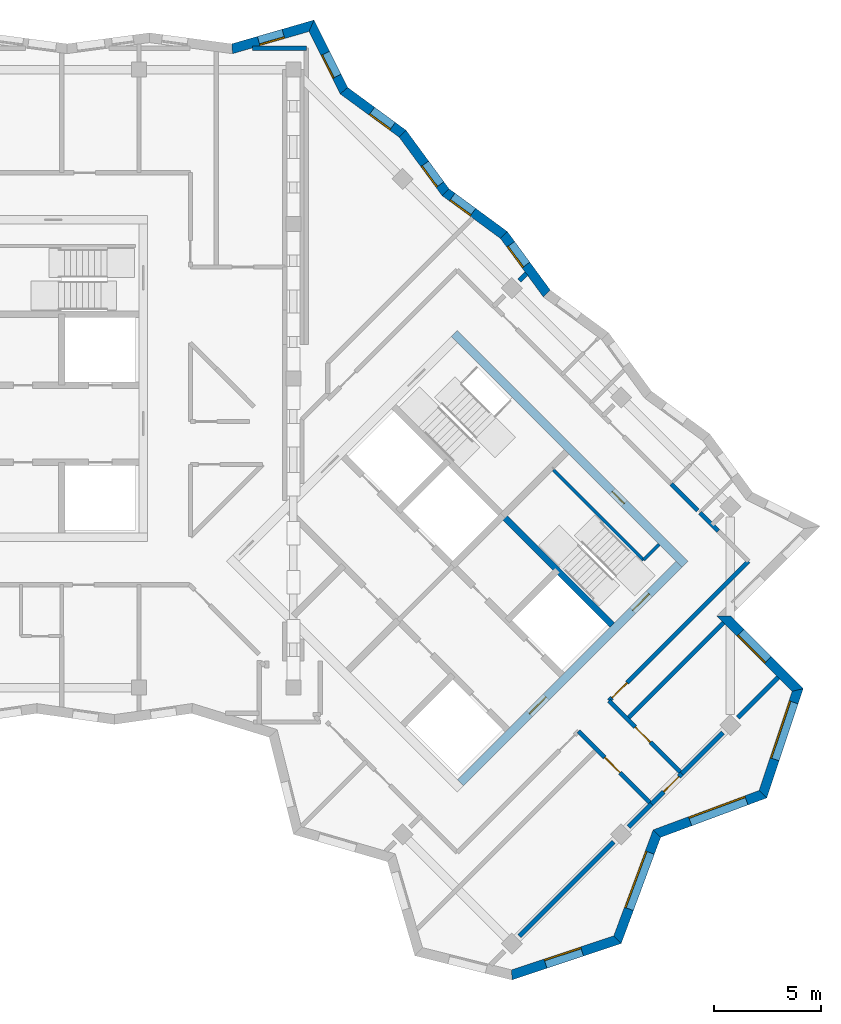
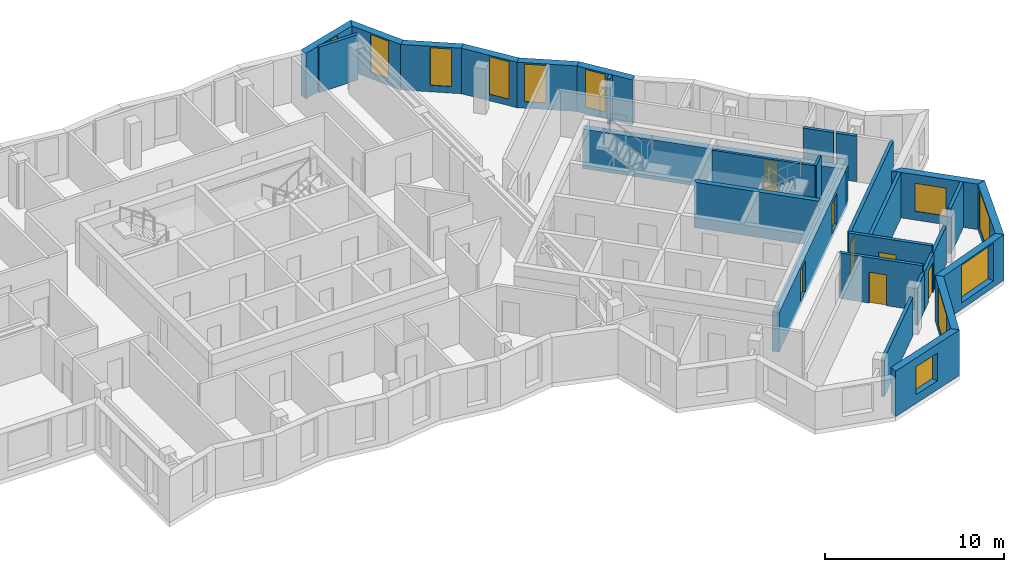
# One storey, part 8 of 12: 29 walls, 11 windows, 7 doors, 18 openings.
"""IFC4 building model written with IfcOpenShell, lengths in metres."""

from ifc_helpers import new_model, si_unit, direction, frame, frame_2d, origin, place, context, subcontext, project, spatial, polyline, rectangle, outline, extrude, material, layer, layer_set, type_object, element, fill, save


model = new_model("IFC4")

# Units and contexts
model_context = context("Model", 3, precision=1e-05, world=origin(), true_north=direction((0.0, 1.0)))
body_context = subcontext(model_context, "Body", "Model", "MODEL_VIEW")
ifc_project = project(units=[si_unit("LENGTHUNIT", "METRE"), si_unit("AREAUNIT", "SQUARE_METRE"), si_unit("VOLUMEUNIT", "CUBIC_METRE"), si_unit("PLANEANGLEUNIT", "RADIAN"), si_unit("MASSUNIT", "GRAM", prefix="KILO")], contexts=[model_context])

# Site, building, storey
site_placement = place(None, origin())
site = spatial("IfcSite", under=ifc_project, at=site_placement, CompositionType="ELEMENT")
building_placement = place(site_placement, origin())
building = spatial("IfcBuilding", under=site, at=building_placement, Name="Windrow Commons", CompositionType="ELEMENT")
storey_placement = place(building_placement, frame((0.0, 0.0, 267.6)))
storey = spatial("IfcBuildingStorey", under=building, at=storey_placement, Name="L73", CompositionType="ELEMENT", Elevation=267.6)

# Wall, opening, window
ifc_material_1 = material(Name="Brick masonry, red clay brick", Category="masonry")
ifc_layer_1 = layer(ifc_material_1, 0.45)
ifc_layer_set_1 = layer_set([ifc_layer_1], Name="Brick facade wall 450")
wall_type_1 = type_object("IfcWallType", Name="Brick facade wall 450", PredefinedType="SOLIDWALL", material=ifc_layer_set_1)
wall_1_placement = place(storey_placement, frame((89.3733, 29.8078, 0.0), z_axis=(0.0, 0.0, 1.0), x_axis=(0.9486871491, 0.3162162126, 0.0)))
wall_1 = element("IfcWall", 1, at=wall_1_placement, inside=storey, type_object=wall_type_1, Name="Brick facade wall L73 1", PredefinedType="SOLIDWALL", context=body_context, shape_type="SweptSolid", body=[
    extrude(outline(polyline([(-0.0655, -0.225), (5.301, -0.225), (5.0855, 0.225), (0.0655, 0.225), (-0.0655, -0.225)])), origin(), (0.0, 0.0, 1.0), 3.1),
])
opening_1_placement = place(wall_1_placement, frame((1.658, 0.0, 0.6)))
opening_1 = element("IfcOpeningElement", 2, at=opening_1_placement, cuts=wall_1, Name="Opening W1L", PredefinedType="OPENING", context=body_context, shape_type="SweptSolid", body=[
    extrude(rectangle(XDim=1.8, YDim=1.9, at=frame_2d((0.9, 0.95))), frame((0.0, 0.235, 0.0), z_axis=(0.0, -1.0, 0.0), x_axis=(1.0, 0.0, 0.0)), (0.0, 0.0, 1.0), 0.47),
])
ifc_material_2 = material(Name="Clear float glass in anodised aluminium frame", Category="aluminium")
window_type_1 = type_object("IfcWindowType", Name="Window W1L bedroom 1800x1900", PartitioningType="SINGLE_PANEL", PredefinedType="WINDOW", material=ifc_material_2)
window_1_placement = place(opening_1_placement, origin())
window_1 = element("IfcWindow", 3, at=window_1_placement, inside=storey, type_object=window_type_1, Name="Window L73 1.1", OverallHeight=1.9, OverallWidth=1.8, PartitioningType="SINGLE_PANEL", PredefinedType="WINDOW", context=body_context, shape_type="SweptSolid", body=[
    extrude(rectangle(XDim=1.8, YDim=1.9, at=frame_2d((0.9, 0.95))), frame((0.0, 0.205, 0.0), z_axis=(0.0, -1.0, 0.0), x_axis=(1.0, 0.0, 0.0)), (0.0, 0.0, 1.0), 0.06),
])
fill(opening_1, window_1)

wall_2_placement = place(storey_placement, frame((94.3001, 31.45, 0.0), z_axis=(0.0, 0.0, 1.0), x_axis=(0.3481927166, 0.9374229739, 0.0)))
wall_2 = element("IfcWall", 4, at=wall_2_placement, inside=storey, type_object=wall_type_1, Name="Brick facade wall L73 2", PredefinedType="SOLIDWALL", context=body_context, shape_type="SweptSolid", body=[
    extrude(outline(polyline([(-0.1078, -0.225), (5.1724, -0.225), (5.3786, 0.225), (0.1078, 0.225), (-0.1078, -0.225)])), origin(), (0.0, 0.0, 1.0), 3.1),
])
opening_2_placement = place(wall_2_placement, frame((1.5336, 0.0, 0.45)))
opening_2 = element("IfcOpeningElement", 5, at=opening_2_placement, cuts=wall_2, Name="Opening W1V", PredefinedType="OPENING", context=body_context, shape_type="SweptSolid", body=[
    extrude(rectangle(XDim=2.8, YDim=2.55, at=frame_2d((1.4, 1.275))), frame((0.0, 0.235, 0.0), z_axis=(0.0, -1.0, 0.0), x_axis=(1.0, 0.0, 0.0)), (0.0, 0.0, 1.0), 0.47),
])
ifc_material_3 = material(Name="Clear float glass in anodised aluminium frame", Category="aluminium")
window_type_2 = type_object("IfcWindowType", Name="Window W1V bedroom 2800x2550", PartitioningType="SINGLE_PANEL", PredefinedType="WINDOW", material=ifc_material_3)
window_2_placement = place(opening_2_placement, origin())
window_2 = element("IfcWindow", 6, at=window_2_placement, inside=storey, type_object=window_type_2, Name="Window L73 2.1", OverallHeight=2.55, OverallWidth=2.8, PartitioningType="SINGLE_PANEL", PredefinedType="WINDOW", context=body_context, shape_type="SweptSolid", body=[
    extrude(rectangle(XDim=2.8, YDim=2.55, at=frame_2d((1.4, 1.275))), frame((0.0, 0.205, 0.0), z_axis=(0.0, -1.0, 0.0), x_axis=(1.0, 0.0, 0.0)), (0.0, 0.0, 1.0), 0.06),
])
fill(opening_2, window_2)

wall_3_placement = place(storey_placement, frame((96.137, 36.3954, 0.0), z_axis=(0.0, 0.0, 1.0), x_axis=(0.937429161, 0.3481760591, 0.0)))
wall_3 = element("IfcWall", 7, at=wall_3_placement, inside=storey, type_object=wall_type_1, Name="Brick facade wall L73 3", PredefinedType="SOLIDWALL", context=body_context, shape_type="SweptSolid", body=[
    extrude(outline(polyline([(0.1031, -0.225), (5.3833, -0.225), (5.1677, 0.225), (-0.1031, 0.225), (0.1031, -0.225)])), origin(), (0.0, 0.0, 1.0), 3.1),
])
opening_3_placement = place(wall_3_placement, frame((1.6509, 0.0, 0.45)))
opening_3 = element("IfcOpeningElement", 8, at=opening_3_placement, cuts=wall_3, Name="Opening W1V", PredefinedType="OPENING", context=body_context, shape_type="SweptSolid", body=[
    extrude(rectangle(XDim=2.8, YDim=2.55, at=frame_2d((1.4, 1.275))), frame((0.0, 0.235, 0.0), z_axis=(0.0, -1.0, 0.0), x_axis=(1.0, 0.0, 0.0)), (0.0, 0.0, 1.0), 0.47),
])
window_3_placement = place(opening_3_placement, origin())
window_3 = element("IfcWindow", 9, at=window_3_placement, inside=storey, type_object=window_type_2, Name="Window L73 3.1", OverallHeight=2.55, OverallWidth=2.8, PartitioningType="SINGLE_PANEL", PredefinedType="WINDOW", context=body_context, shape_type="SweptSolid", body=[
    extrude(rectangle(XDim=2.8, YDim=2.55, at=frame_2d((1.4, 1.275))), frame((0.0, 0.205, 0.0), z_axis=(0.0, -1.0, 0.0), x_axis=(1.0, 0.0, 0.0)), (0.0, 0.0, 1.0), 0.06),
])
fill(opening_3, window_3)

wall_4_placement = place(storey_placement, frame((101.0824, 38.2322, 0.0), z_axis=(0.0, 0.0, 1.0), x_axis=(0.316227766, 0.9486832981, 0.0)))
wall_4 = element("IfcWall", 10, at=wall_4_placement, inside=storey, type_object=wall_type_1, Name="Brick facade wall L73 4", PredefinedType="SOLIDWALL", context=body_context, shape_type="SweptSolid", body=[
    extrude(outline(polyline([(-0.1078, -0.225), (5.2588, -0.225), (4.9807, 0.225), (0.1078, 0.225), (-0.1078, -0.225)])), origin(), (0.0, 0.0, 1.0), 3.1),
])
opening_4_placement = place(wall_4_placement, frame((1.7112, 0.0, 0.45)))
opening_4 = element("IfcOpeningElement", 11, at=opening_4_placement, cuts=wall_4, Name="Opening W1V", PredefinedType="OPENING", context=body_context, shape_type="SweptSolid", body=[
    extrude(rectangle(XDim=2.8, YDim=2.55, at=frame_2d((1.4, 1.275))), frame((0.0, 0.235, 0.0), z_axis=(0.0, -1.0, 0.0), x_axis=(1.0, 0.0, 0.0)), (0.0, 0.0, 1.0), 0.47),
])
window_4_placement = place(opening_4_placement, origin())
window_4 = element("IfcWindow", 12, at=window_4_placement, inside=storey, type_object=window_type_2, Name="Window L73 4.1", OverallHeight=2.55, OverallWidth=2.8, PartitioningType="SINGLE_PANEL", PredefinedType="WINDOW", context=body_context, shape_type="SweptSolid", body=[
    extrude(rectangle(XDim=2.8, YDim=2.55, at=frame_2d((1.4, 1.275))), frame((0.0, 0.205, 0.0), z_axis=(0.0, -1.0, 0.0), x_axis=(1.0, 0.0, 0.0)), (0.0, 0.0, 1.0), 0.06),
])
fill(opening_4, window_4)

wall_5_placement = place(storey_placement, frame((102.7014, 43.0892, 0.0), z_axis=(0.0, 0.0, 1.0), x_axis=(-0.7070965479, 0.7071170144, 0.0)))
wall_5 = element("IfcWall", 13, at=wall_5_placement, inside=storey, type_object=wall_type_1, Name="Brick facade wall L73 5", PredefinedType="SOLIDWALL", context=body_context, shape_type="SweptSolid", body=[
    extrude(outline(polyline([(-0.1391, -0.225), (4.661, -0.225), (5.111, 0.225), (0.1391, 0.225), (-0.1391, -0.225)])), origin(), (0.0, 0.0, 1.0), 3.1),
])
opening_5_placement = place(wall_5_placement, frame((1.9735, 0.0, 0.6)))
opening_5 = element("IfcOpeningElement", 14, at=opening_5_placement, cuts=wall_5, Name="Opening W1L", PredefinedType="OPENING", context=body_context, shape_type="SweptSolid", body=[
    extrude(rectangle(XDim=1.8, YDim=1.9, at=frame_2d((0.9, 0.95))), frame((0.0, 0.235, 0.0), z_axis=(0.0, -1.0, 0.0), x_axis=(1.0, 0.0, 0.0)), (0.0, 0.0, 1.0), 0.47),
])
window_5_placement = place(opening_5_placement, origin())
window_5 = element("IfcWindow", 15, at=window_5_placement, inside=storey, type_object=window_type_1, Name="Window L73 5.1", OverallHeight=1.9, OverallWidth=1.8, PartitioningType="SINGLE_PANEL", PredefinedType="WINDOW", context=body_context, shape_type="SweptSolid", body=[
    extrude(rectangle(XDim=1.8, YDim=1.9, at=frame_2d((0.9, 0.95))), frame((0.0, 0.205, 0.0), z_axis=(0.0, -1.0, 0.0), x_axis=(1.0, 0.0, 0.0)), (0.0, 0.0, 1.0), 0.06),
])
fill(opening_5, window_5)

wall_6_placement = place(storey_placement, frame((91.0041, 61.571, 0.0), z_axis=(0.0, 0.0, 1.0), x_axis=(-0.5916423825, 0.806200528, 0.0)))
wall_6 = element("IfcWall", 16, at=wall_6_placement, inside=storey, type_object=wall_type_1, Name="Brick facade wall L73 12", PredefinedType="SOLIDWALL", context=body_context, shape_type="SweptSolid", body=[
    extrude(outline(polyline([(0.0345, -0.225), (3.4094, -0.225), (3.3403, 0.225), (-0.0345, 0.225), (0.0345, -0.225)])), origin(), (0.0, 0.0, 1.0), 3.1),
])
opening_6_placement = place(wall_6_placement, frame((1.6385, 0.0, 0.45)))
opening_6 = element("IfcOpeningElement", 17, at=opening_6_placement, cuts=wall_6, Name="Opening W7F", PredefinedType="OPENING", context=body_context, shape_type="SweptSolid", body=[
    extrude(rectangle(XDim=1.2, YDim=2.55, at=frame_2d((0.6, 1.275))), frame((0.0, 0.235, 0.0), z_axis=(0.0, -1.0, 0.0), x_axis=(1.0, 0.0, 0.0)), (0.0, 0.0, 1.0), 0.47),
])
ifc_material_4 = material(Name="Clear float glass in anodised aluminium frame", Category="aluminium")
window_type_3 = type_object("IfcWindowType", Name="Window W7 notch 1200x2550", PartitioningType="SINGLE_PANEL", PredefinedType="WINDOW", material=ifc_material_4)
window_6_placement = place(opening_6_placement, origin())
window_6 = element("IfcWindow", 18, at=window_6_placement, inside=storey, type_object=window_type_3, Name="Window L73 12.1", OverallHeight=2.55, OverallWidth=1.2, PartitioningType="SINGLE_PANEL", PredefinedType="WINDOW", context=body_context, shape_type="SweptSolid", body=[
    extrude(rectangle(XDim=1.2, YDim=2.55, at=frame_2d((0.6, 1.275))), frame((0.0, 0.205, 0.0), z_axis=(0.0, -1.0, 0.0), x_axis=(1.0, 0.0, 0.0)), (0.0, 0.0, 1.0), 0.06),
])
fill(opening_6, window_6)

wall_7_placement = place(storey_placement, frame((89.0074, 64.2918, 0.0), z_axis=(0.0, 0.0, 1.0), x_axis=(-0.8061901555, 0.5916565162, 0.0)))
wall_7 = element("IfcWall", 19, at=wall_7_placement, inside=storey, type_object=wall_type_1, Name="Brick facade wall L73 13", PredefinedType="SOLIDWALL", context=body_context, shape_type="SweptSolid", body=[
    extrude(outline(polyline([(-0.0345, -0.225), (3.3403, -0.225), (3.4094, 0.225), (0.0345, 0.225), (-0.0345, -0.225)])), origin(), (0.0, 0.0, 1.0), 3.1),
])
opening_7_placement = place(wall_7_placement, frame((1.7894, 0.0, 0.45)))
opening_7 = element("IfcOpeningElement", 20, at=opening_7_placement, cuts=wall_7, Name="Opening W7F", PredefinedType="OPENING", context=body_context, shape_type="SweptSolid", body=[
    extrude(rectangle(XDim=1.2, YDim=2.55, at=frame_2d((0.6, 1.275))), frame((0.0, 0.235, 0.0), z_axis=(0.0, -1.0, 0.0), x_axis=(1.0, 0.0, 0.0)), (0.0, 0.0, 1.0), 0.47),
])
window_7_placement = place(opening_7_placement, origin())
window_7 = element("IfcWindow", 21, at=window_7_placement, inside=storey, type_object=window_type_3, Name="Window L73 13.1", OverallHeight=2.55, OverallWidth=1.2, PartitioningType="SINGLE_PANEL", PredefinedType="WINDOW", context=body_context, shape_type="SweptSolid", body=[
    extrude(rectangle(XDim=1.2, YDim=2.55, at=frame_2d((0.6, 1.275))), frame((0.0, 0.205, 0.0), z_axis=(0.0, -1.0, 0.0), x_axis=(1.0, 0.0, 0.0)), (0.0, 0.0, 1.0), 0.06),
])
fill(opening_7, window_7)

wall_8_placement = place(storey_placement, frame((86.2867, 66.2885, 0.0), z_axis=(0.0, 0.0, 1.0), x_axis=(-0.5916423825, 0.806200528, 0.0)))
wall_8 = element("IfcWall", 22, at=wall_8_placement, inside=storey, type_object=wall_type_1, Name="Brick facade wall L73 14", PredefinedType="SOLIDWALL", context=body_context, shape_type="SweptSolid", body=[
    extrude(outline(polyline([(0.0345, -0.225), (3.4094, -0.225), (3.3403, 0.225), (-0.0345, 0.225), (0.0345, -0.225)])), origin(), (0.0, 0.0, 1.0), 3.1),
])
opening_8_placement = place(wall_8_placement, frame((0.4357, 0.0, 0.45)))
opening_8 = element("IfcOpeningElement", 23, at=opening_8_placement, cuts=wall_8, Name="Opening W7F", PredefinedType="OPENING", context=body_context, shape_type="SweptSolid", body=[
    extrude(rectangle(XDim=1.2, YDim=2.55, at=frame_2d((0.6, 1.275))), frame((0.0, 0.235, 0.0), z_axis=(0.0, -1.0, 0.0), x_axis=(1.0, 0.0, 0.0)), (0.0, 0.0, 1.0), 0.47),
])
window_8_placement = place(opening_8_placement, origin())
window_8 = element("IfcWindow", 24, at=window_8_placement, inside=storey, type_object=window_type_3, Name="Window L73 14.1", OverallHeight=2.55, OverallWidth=1.2, PartitioningType="SINGLE_PANEL", PredefinedType="WINDOW", context=body_context, shape_type="SweptSolid", body=[
    extrude(rectangle(XDim=1.2, YDim=2.55, at=frame_2d((0.6, 1.275))), frame((0.0, 0.205, 0.0), z_axis=(0.0, -1.0, 0.0), x_axis=(1.0, 0.0, 0.0)), (0.0, 0.0, 1.0), 0.06),
])
fill(opening_8, window_8)

wall_9_placement = place(storey_placement, frame((84.29, 69.0093, 0.0), z_axis=(0.0, 0.0, 1.0), x_axis=(-0.8062064069, 0.5916343714, 0.0)))
wall_9 = element("IfcWall", 25, at=wall_9_placement, inside=storey, type_object=wall_type_1, Name="Brick facade wall L73 15", PredefinedType="SOLIDWALL", context=body_context, shape_type="SweptSolid", body=[
    extrude(outline(polyline([(-0.0345, -0.225), (3.3403, -0.225), (3.449, 0.225), (0.0345, 0.225), (-0.0345, -0.225)])), origin(), (0.0, 0.0, 1.0), 3.1),
])
opening_9_placement = place(wall_9_placement, frame((0.5866, 0.0, 0.45)))
opening_9 = element("IfcOpeningElement", 26, at=opening_9_placement, cuts=wall_9, Name="Opening W7F", PredefinedType="OPENING", context=body_context, shape_type="SweptSolid", body=[
    extrude(rectangle(XDim=1.2, YDim=2.55, at=frame_2d((0.6, 1.275))), frame((0.0, 0.235, 0.0), z_axis=(0.0, -1.0, 0.0), x_axis=(1.0, 0.0, 0.0)), (0.0, 0.0, 1.0), 0.47),
])
window_9_placement = place(opening_9_placement, origin())
window_9 = element("IfcWindow", 27, at=window_9_placement, inside=storey, type_object=window_type_3, Name="Window L73 15.1", OverallHeight=2.55, OverallWidth=1.2, PartitioningType="SINGLE_PANEL", PredefinedType="WINDOW", context=body_context, shape_type="SweptSolid", body=[
    extrude(rectangle(XDim=1.2, YDim=2.55, at=frame_2d((0.6, 1.275))), frame((0.0, 0.205, 0.0), z_axis=(0.0, -1.0, 0.0), x_axis=(1.0, 0.0, 0.0)), (0.0, 0.0, 1.0), 0.06),
])
fill(opening_9, window_9)

wall_10_placement = place(storey_placement, frame((81.5532, 71.0177, 0.0), z_axis=(0.0, 0.0, 1.0), x_axis=(-0.4471899486, 0.8944390141, 0.0)))
wall_10 = element("IfcWall", 28, at=wall_10_placement, inside=storey, type_object=wall_type_1, Name="Brick facade wall L73 16", PredefinedType="SOLIDWALL", context=body_context, shape_type="SweptSolid", body=[
    extrude(outline(polyline([(0.0544, -0.225), (3.5706, -0.225), (3.1956, 0.225), (-0.0544, 0.225), (0.0544, -0.225)])), origin(), (0.0, 0.0, 1.0), 3.1),
])
opening_10_placement = place(wall_10_placement, frame((0.7431, 0.0, 0.45)))
opening_10 = element("IfcOpeningElement", 29, at=opening_10_placement, cuts=wall_10, Name="Opening W7F", PredefinedType="OPENING", context=body_context, shape_type="SweptSolid", body=[
    extrude(rectangle(XDim=1.2, YDim=2.55, at=frame_2d((0.6, 1.275))), frame((0.0, 0.235, 0.0), z_axis=(0.0, -1.0, 0.0), x_axis=(1.0, 0.0, 0.0)), (0.0, 0.0, 1.0), 0.47),
])
window_10_placement = place(opening_10_placement, origin())
window_10 = element("IfcWindow", 30, at=window_10_placement, inside=storey, type_object=window_type_3, Name="Window L73 16.1", OverallHeight=2.55, OverallWidth=1.2, PartitioningType="SINGLE_PANEL", PredefinedType="WINDOW", context=body_context, shape_type="SweptSolid", body=[
    extrude(rectangle(XDim=1.2, YDim=2.55, at=frame_2d((0.6, 1.275))), frame((0.0, 0.205, 0.0), z_axis=(0.0, -1.0, 0.0), x_axis=(1.0, 0.0, 0.0)), (0.0, 0.0, 1.0), 0.06),
])
fill(opening_10, window_10)

wall_11_placement = place(storey_placement, frame((80.0403, 74.0437, 0.0), z_axis=(0.0, 0.0, 1.0), x_axis=(-0.9604089945, -0.278593904, 0.0)))
wall_11 = element("IfcWall", 31, at=wall_11_placement, inside=storey, type_object=wall_type_1, Name="Brick facade wall L73 17", PredefinedType="SOLIDWALL", context=body_context, shape_type="SweptSolid", body=[
    extrude(outline(polyline([(-0.1875, -0.225), (3.8041, -0.225), (3.8988, 0.225), (0.1875, 0.225), (-0.1875, -0.225)])), origin(), (0.0, 0.0, 1.0), 3.1),
])
opening_11_placement = place(wall_11_placement, frame((1.3632, 0.0, 0.45)))
opening_11 = element("IfcOpeningElement", 32, at=opening_11_placement, cuts=wall_11, Name="Opening W7F", PredefinedType="OPENING", context=body_context, shape_type="SweptSolid", body=[
    extrude(rectangle(XDim=1.2, YDim=2.55, at=frame_2d((0.6, 1.275))), frame((0.0, 0.235, 0.0), z_axis=(0.0, -1.0, 0.0), x_axis=(1.0, 0.0, 0.0)), (0.0, 0.0, 1.0), 0.47),
])
window_11_placement = place(opening_11_placement, origin())
window_11 = element("IfcWindow", 33, at=window_11_placement, inside=storey, type_object=window_type_3, Name="Window L73 17.1", OverallHeight=2.55, OverallWidth=1.2, PartitioningType="SINGLE_PANEL", PredefinedType="WINDOW", context=body_context, shape_type="SweptSolid", body=[
    extrude(rectangle(XDim=1.2, YDim=2.55, at=frame_2d((0.6, 1.275))), frame((0.0, 0.205, 0.0), z_axis=(0.0, -1.0, 0.0), x_axis=(1.0, 0.0, 0.0)), (0.0, 0.0, 1.0), 0.06),
])
fill(opening_11, window_11)

# Wall, opening, door
ifc_material_5 = material(Name="Blockwork partition", Category="masonry")
ifc_layer_2 = layer(ifc_material_5, 0.2)
ifc_layer_set_2 = layer_set([ifc_layer_2], Name="IW-CORRIDOR-200")
wall_type_2 = type_object("IfcWallType", Name="IW-CORRIDOR-200", PredefinedType="PARTITIONING", material=ifc_layer_set_2)
wall_12_placement = place(storey_placement, frame((93.9069, 42.5851, 0.0), z_axis=(0.0, 0.0, 1.0), x_axis=(0.7071067812, 0.7071067812, 0.0)))
wall_12 = element("IfcWall", 34, at=wall_12_placement, inside=storey, type_object=wall_type_2, Name="W-L73-W017", PredefinedType="PARTITIONING", context=body_context, shape_type="SweptSolid", body=[
    extrude(rectangle(XDim=9.2009, YDim=0.2, at=frame_2d((4.6005, 0.0))), origin(), (0.0, 0.0, 1.0), 3.1),
])
opening_12_placement = place(wall_12_placement, frame((0.1931, 0.0, 0.0)))
opening_12 = element("IfcOpeningElement", 35, at=opening_12_placement, cuts=wall_12, Name="Opening D310F", PredefinedType="OPENING", context=body_context, shape_type="SweptSolid", body=[
    extrude(rectangle(XDim=1.0, YDim=2.1, at=frame_2d((0.5, 1.05))), frame((0.0, 0.11, 0.0), z_axis=(0.0, -1.0, 0.0), x_axis=(1.0, 0.0, 0.0)), (0.0, 0.0, 1.0), 0.22),
])
ifc_material_6 = material(Name="Timber door leaf", Category="wood")
door_type_1 = type_object("IfcDoorType", Name="DT-AMENITY-1000", OperationType="SINGLE_SWING_LEFT", PredefinedType="DOOR", material=ifc_material_6)
door_1_placement = place(opening_12_placement, origin())
door_1 = element("IfcDoor", 36, at=door_1_placement, inside=storey, type_object=door_type_1, Name="D-L73-D034", OperationType="SINGLE_SWING_LEFT", OverallHeight=2.1, OverallWidth=1.0, PredefinedType="DOOR", context=body_context, shape_type="SweptSolid", body=[
    extrude(rectangle(XDim=1.0, YDim=2.1, at=frame_2d((0.5, 1.05))), frame((0.0, 0.025, 0.0), z_axis=(0.0, -1.0, 0.0), x_axis=(1.0, 0.0, 0.0)), (0.0, 0.0, 1.0), 0.05),
])
fill(opening_12, door_1)

wall_13_placement = place(storey_placement, frame((93.9049, 42.5809, 0.0), z_axis=(0.0, 0.0, 1.0), x_axis=(0.7071067812, -0.7071067812, 0.0)))
wall_13 = element("IfcWall", 37, at=wall_13_placement, inside=storey, type_object=wall_type_2, Name="W-L73-W035", PredefinedType="PARTITIONING", context=body_context, shape_type="SweptSolid", body=[
    extrude(rectangle(XDim=4.7998, YDim=0.2, at=frame_2d((2.3999, 0.0))), origin(), (0.0, 0.0, 1.0), 3.1),
])
opening_13_placement = place(wall_13_placement, frame((1.7246, 0.0, 0.0)))
opening_13 = element("IfcOpeningElement", 38, at=opening_13_placement, cuts=wall_13, Name="Opening D310F", PredefinedType="OPENING", context=body_context, shape_type="SweptSolid", body=[
    extrude(rectangle(XDim=1.0, YDim=2.1, at=frame_2d((0.5, 1.05))), frame((0.0, 0.11, 0.0), z_axis=(0.0, -1.0, 0.0), x_axis=(1.0, 0.0, 0.0)), (0.0, 0.0, 1.0), 0.22),
])
door_2_placement = place(opening_13_placement, origin())
door_2 = element("IfcDoor", 39, at=door_2_placement, inside=storey, type_object=door_type_1, Name="D-L73-D037", OperationType="SINGLE_SWING_RIGHT", OverallHeight=2.1, OverallWidth=1.0, PredefinedType="DOOR", context=body_context, shape_type="SweptSolid", body=[
    extrude(rectangle(XDim=1.0, YDim=2.1, at=frame_2d((0.5, 1.05))), frame((0.0, 0.025, 0.0), z_axis=(0.0, -1.0, 0.0), x_axis=(1.0, 0.0, 0.0)), (0.0, 0.0, 1.0), 0.05),
])
fill(opening_13, door_2)

wall_14_placement = place(storey_placement, frame((92.4907, 41.1667, 0.0), z_axis=(0.0, 0.0, 1.0), x_axis=(0.7071067812, -0.7071067812, 0.0)))
wall_14 = element("IfcWall", 40, at=wall_14_placement, inside=storey, type_object=wall_type_2, Name="W-L73-W036", PredefinedType="PARTITIONING", context=body_context, shape_type="SweptSolid", body=[
    extrude(rectangle(XDim=4.7998, YDim=0.2, at=frame_2d((2.3999, 0.0))), origin(), (0.0, 0.0, 1.0), 3.1),
])
opening_14_placement = place(wall_14_placement, frame((1.7246, 0.0, 0.0)))
opening_14 = element("IfcOpeningElement", 41, at=opening_14_placement, cuts=wall_14, Name="Opening D310F", PredefinedType="OPENING", context=body_context, shape_type="SweptSolid", body=[
    extrude(rectangle(XDim=1.0, YDim=2.1, at=frame_2d((0.5, 1.05))), frame((0.0, 0.11, 0.0), z_axis=(0.0, -1.0, 0.0), x_axis=(1.0, 0.0, 0.0)), (0.0, 0.0, 1.0), 0.22),
])
door_3_placement = place(opening_14_placement, origin())
door_3 = element("IfcDoor", 42, at=door_3_placement, inside=storey, type_object=door_type_1, Name="D-L73-D036", OperationType="SINGLE_SWING_LEFT", OverallHeight=2.1, OverallWidth=1.0, PredefinedType="DOOR", context=body_context, shape_type="SweptSolid", body=[
    extrude(rectangle(XDim=1.0, YDim=2.1, at=frame_2d((0.5, 1.05))), frame((0.0, 0.025, 0.0), z_axis=(0.0, -1.0, 0.0), x_axis=(1.0, 0.0, 0.0)), (0.0, 0.0, 1.0), 0.05),
])
fill(opening_14, door_3)

wall_15_placement = place(storey_placement, frame((95.887, 37.777, 0.0), z_axis=(0.0, 0.0, 1.0), x_axis=(0.7071067812, 0.7071067812, 0.0)))
wall_15 = element("IfcWall", 43, at=wall_15_placement, inside=storey, type_object=wall_type_2, Name="W-L73-W091", PredefinedType="PARTITIONING", context=body_context, shape_type="SweptSolid", body=[
    extrude(rectangle(XDim=1.9997, YDim=0.2, at=frame_2d((0.9999, 0.0))), origin(), (0.0, 0.0, 1.0), 2.6),
])
opening_15_placement = place(wall_15_placement, frame((0.8027, 0.0, 0.0)))
opening_15 = element("IfcOpeningElement", 44, at=opening_15_placement, cuts=wall_15, Name="Opening D310F", PredefinedType="OPENING", context=body_context, shape_type="SweptSolid", body=[
    extrude(rectangle(XDim=1.0, YDim=2.1, at=frame_2d((0.5, 1.05))), frame((0.0, 0.11, 0.0), z_axis=(0.0, -1.0, 0.0), x_axis=(1.0, 0.0, 0.0)), (0.0, 0.0, 1.0), 0.22),
])
door_4_placement = place(opening_15_placement, origin())
door_4 = element("IfcDoor", 45, at=door_4_placement, inside=storey, type_object=door_type_1, Name="D-L73-D038", OperationType="SINGLE_SWING_RIGHT", OverallHeight=2.1, OverallWidth=1.0, PredefinedType="DOOR", context=body_context, shape_type="SweptSolid", body=[
    extrude(rectangle(XDim=1.0, YDim=2.1, at=frame_2d((0.5, 1.05))), frame((0.0, 0.025, 0.0), z_axis=(0.0, -1.0, 0.0), x_axis=(1.0, 0.0, 0.0)), (0.0, 0.0, 1.0), 0.05),
])
fill(opening_15, door_4)

# Walls
wall_16_placement = place(storey_placement, frame((96.8046, 52.6946, 0.0), z_axis=(0.0, 0.0, 1.0), x_axis=(0.7073923078, -0.7068211392, 0.0)))
element("IfcWall", 46, at=wall_16_placement, inside=storey, type_object=wall_type_2, Name="W-L73-W096", PredefinedType="PARTITIONING", context=body_context, shape_type="SweptSolid", body=[
    extrude(rectangle(XDim=1.7508, YDim=0.2, at=frame_2d((0.8754, 0.0))), origin(), (0.0, 0.0, 1.0), 3.1),
])
wall_17_placement = place(storey_placement, frame((98.1473, 51.3493, 0.0), z_axis=(0.0, 0.0, 1.0), x_axis=(0.7071067812, -0.7071067812, 0.0)))
element("IfcWall", 47, at=wall_17_placement, inside=storey, type_object=wall_type_2, Name="W-L73-W111", PredefinedType="PARTITIONING", context=body_context, shape_type="SweptSolid", body=[
    extrude(rectangle(XDim=1.1993, YDim=0.2, at=frame_2d((0.5997, 0.0))), origin(), (0.0, 0.0, 1.0), 3.1),
])
ifc_material_7 = material(Name="Blockwork partition", Category="masonry")
ifc_layer_3 = layer(ifc_material_7, 0.2)
ifc_layer_set_3 = layer_set([ifc_layer_3], Name="IW-PARTY-200")
wall_type_3 = type_object("IfcWallType", Name="IW-PARTY-200", PredefinedType="PARTITIONING", material=ifc_layer_set_3)
wall_18_placement = place(storey_placement, frame((94.7554, 41.7366, 0.0), z_axis=(0.0, 0.0, 1.0), x_axis=(0.7071146549, 0.7070989073, 0.0)))
element("IfcWall", 48, at=wall_18_placement, inside=storey, type_object=wall_type_3, Name="W-L73-W026", PredefinedType="PARTITIONING", context=body_context, shape_type="SweptSolid", body=[
    extrude(rectangle(XDim=6.3502, YDim=0.2, at=frame_2d((3.1751, 0.0))), origin(), (0.0, 0.0, 1.0), 3.1),
])
wall_19_placement = place(storey_placement, frame((89.731, 31.621, 0.0), z_axis=(0.0, 0.0, 1.0), x_axis=(0.7071067812, 0.7071067812, 0.0)))
element("IfcWall", 49, at=wall_19_placement, inside=storey, type_object=wall_type_3, Name="W-L73-W027", PredefinedType="PARTITIONING", context=body_context, shape_type="SweptSolid", body=[
    extrude(rectangle(XDim=6.2112, YDim=0.2, at=frame_2d((3.1056, 0.0))), origin(), (0.0, 0.0, 1.0), 2.6),
])
wall_20_placement = place(storey_placement, frame((97.301, 39.191, 0.0), z_axis=(0.0, 0.0, 1.0), x_axis=(0.7071067812, 0.7071067812, 0.0)))
element("IfcWall", 50, at=wall_20_placement, inside=storey, type_object=wall_type_3, Name="W-L73-W071", PredefinedType="PARTITIONING", context=body_context, shape_type="SweptSolid", body=[
    extrude(rectangle(XDim=2.7068, YDim=0.2, at=frame_2d((1.3534, 0.0))), origin(), (0.0, 0.0, 1.0), 2.6),
])
wall_21_placement = place(storey_placement, frame((99.913, 41.803, 0.0), z_axis=(0.0, 0.0, 1.0), x_axis=(0.7071067812, 0.7071067812, 0.0)))
element("IfcWall", 51, at=wall_21_placement, inside=storey, type_object=wall_type_3, Name="W-L73-W072", PredefinedType="PARTITIONING", context=body_context, shape_type="SweptSolid", body=[
    extrude(rectangle(XDim=2.6562, YDim=0.2, at=frame_2d((1.3281, 0.0))), origin(), (0.0, 0.0, 1.0), 3.1),
])
wall_22_placement = place(storey_placement, frame((77.3, 73.0, 0.0), z_axis=(0.0, 0.0, 1.0), x_axis=(1.0, 0.0, 0.0)))
element("IfcWall", 52, at=wall_22_placement, inside=storey, type_object=wall_type_3, Name="W-L73-W075", PredefinedType="PARTITIONING", context=body_context, shape_type="SweptSolid", body=[
    extrude(rectangle(XDim=2.5, YDim=0.2, at=frame_2d((1.25, 0.0))), origin(), (0.0, 0.0, 1.0), 3.1),
])
wall_23_placement = place(storey_placement, frame((94.823, 36.713, 0.0), z_axis=(0.0, 0.0, 1.0), x_axis=(0.7071067812, 0.7071067812, 0.0)))
element("IfcWall", 53, at=wall_23_placement, inside=storey, type_object=wall_type_3, Name="W-L73-W109", PredefinedType="PARTITIONING", context=body_context, shape_type="SweptSolid", body=[
    extrude(rectangle(XDim=1.5047, YDim=0.2, at=frame_2d((0.7523, 0.0))), origin(), (0.0, 0.0, 1.0), 2.6),
])
wall_24_placement = place(storey_placement, frame((89.7315, 62.1685, 0.0), z_axis=(0.0, 0.0, 1.0), x_axis=(0.7072172062, 0.7069963389, 0.0)))
element("IfcWall", 54, at=wall_24_placement, inside=storey, type_object=wall_type_3, Name="W-L73-W138", PredefinedType="PARTITIONING", context=body_context, shape_type="SweptSolid", body=[
    extrude(rectangle(XDim=0.4528, YDim=0.2, at=frame_2d((0.2264, 0.0))), origin(), (0.0, 0.0, 1.0), 3.1),
])

# Wall, opening, door
ifc_material_8 = material(Name="Concrete C40/50", Category="concrete")
ifc_layer_4 = layer(ifc_material_8, 0.4)
ifc_layer_set_4 = layer_set([ifc_layer_4], Name="RC CORE WALL 400 C40/50")
wall_type_4 = type_object("IfcWallType", Name="RC CORE WALL 400 C40/50", PredefinedType="SHEAR", material=ifc_layer_set_4)
wall_25_placement = place(storey_placement, frame((86.6953, 59.6963, -0.3), z_axis=(0.0, 0.0, 1.0), x_axis=(0.7071100706, -0.7071034917, 0.0)))
wall_25 = element("IfcWall", 55, at=wall_25_placement, inside=storey, type_object=wall_type_4, Name="Core B wall outer-N", PredefinedType="SHEAR", context=body_context, shape_type="SweptSolid", body=[
    extrude(rectangle(XDim=15.2, YDim=0.4, at=frame_2d((7.6, 0.0))), origin(), (0.0, 0.0, 1.0), 2.7),
])
opening_16_placement = place(wall_25_placement, frame((10.4, 0.0, 0.3)))
opening_16 = element("IfcOpeningElement", 56, at=opening_16_placement, cuts=wall_25, Name="Opening D9", PredefinedType="OPENING", context=body_context, shape_type="SweptSolid", body=[
    extrude(rectangle(XDim=0.8, YDim=2.1, at=frame_2d((0.4, 1.05))), frame((0.0, 0.21, 0.0), z_axis=(0.0, -1.0, 0.0), x_axis=(1.0, 0.0, 0.0)), (0.0, 0.0, 1.0), 0.42),
])
ifc_material_9 = material(Name="Steel fire door leaf", Category="steel")
door_type_2 = type_object("IfcDoorType", Name="Riser access door 800", OperationType="SINGLE_SWING_LEFT", PredefinedType="DOOR", material=ifc_material_9)
door_5_placement = place(opening_16_placement, origin())
door_5 = element("IfcDoor", 57, at=door_5_placement, inside=storey, type_object=door_type_2, Name="Riser access door", OperationType="SINGLE_SWING_RIGHT", OverallHeight=2.1, OverallWidth=0.8, PredefinedType="DOOR", context=body_context, shape_type="SweptSolid", body=[
    extrude(rectangle(XDim=0.8, YDim=2.1, at=frame_2d((0.4, 1.05))), frame((0.0, 0.025, 0.0), z_axis=(0.0, -1.0, 0.0), x_axis=(1.0, 0.0, 0.0)), (0.0, 0.0, 1.0), 0.05),
])
fill(opening_16, door_5)

# Wall, openings, doors
wall_26_placement = place(storey_placement, frame((86.9782, 38.766, -0.3), z_axis=(0.0, 0.0, 1.0), x_axis=(0.7071067812, 0.7071067812, 0.0)))
wall_26 = element("IfcWall", 58, at=wall_26_placement, inside=storey, type_object=wall_type_4, Name="Core B wall outer-E", PredefinedType="SHEAR", context=body_context, shape_type="SweptSolid", body=[
    extrude(rectangle(XDim=14.3999, YDim=0.4, at=frame_2d((7.2, 0.0))), origin(), (0.0, 0.0, 1.0), 2.7),
])
opening_17_placement = place(wall_26_placement, frame((4.55, 0.0, 0.3)))
opening_17 = element("IfcOpeningElement", 59, at=opening_17_placement, cuts=wall_26, Name="Opening D6", PredefinedType="OPENING", context=body_context, shape_type="SweptSolid", body=[
    extrude(rectangle(XDim=1.1, YDim=2.1, at=frame_2d((0.55, 1.05))), frame((0.0, 0.21, 0.0), z_axis=(0.0, -1.0, 0.0), x_axis=(1.0, 0.0, 0.0)), (0.0, 0.0, 1.0), 0.42),
])
opening_18_placement = place(wall_26_placement, frame((11.35, 0.0, 0.3)))
opening_18 = element("IfcOpeningElement", 60, at=opening_18_placement, cuts=wall_26, Name="Opening D7", PredefinedType="OPENING", context=body_context, shape_type="SweptSolid", body=[
    extrude(rectangle(XDim=1.1, YDim=2.1, at=frame_2d((0.55, 1.05))), frame((0.0, 0.21, 0.0), z_axis=(0.0, -1.0, 0.0), x_axis=(1.0, 0.0, 0.0)), (0.0, 0.0, 1.0), 0.42),
])
ifc_material_10 = material(Name="Steel fire door leaf", Category="steel")
door_type_3 = type_object("IfcDoorType", Name="Core lobby door 1100", OperationType="SINGLE_SWING_LEFT", PredefinedType="DOOR", material=ifc_material_10)
door_6_placement = place(opening_17_placement, origin())
door_6 = element("IfcDoor", 61, at=door_6_placement, inside=storey, type_object=door_type_3, Name="Lift lobby door", OperationType="DOUBLE_DOOR_SINGLE_SWING", OverallHeight=2.1, OverallWidth=1.1, PredefinedType="DOOR", context=body_context, shape_type="SweptSolid", body=[
    extrude(rectangle(XDim=1.1, YDim=2.1, at=frame_2d((0.55, 1.05))), frame((0.0, 0.025, 0.0), z_axis=(0.0, -1.0, 0.0), x_axis=(1.0, 0.0, 0.0)), (0.0, 0.0, 1.0), 0.05),
])
fill(opening_17, door_6)
ifc_material_11 = material(Name="Steel fire door leaf", Category="steel")
door_type_4 = type_object("IfcDoorType", Name="Stair door 1100", OperationType="SINGLE_SWING_LEFT", PredefinedType="DOOR", material=ifc_material_11)
door_7_placement = place(opening_18_placement, origin())
door_7 = element("IfcDoor", 62, at=door_7_placement, inside=storey, type_object=door_type_4, Name="Stair door", OperationType="SINGLE_SWING_RIGHT", OverallHeight=2.1, OverallWidth=1.1, PredefinedType="DOOR", context=body_context, shape_type="SweptSolid", body=[
    extrude(rectangle(XDim=1.1, YDim=2.1, at=frame_2d((0.55, 1.05))), frame((0.0, 0.025, 0.0), z_axis=(0.0, -1.0, 0.0), x_axis=(1.0, 0.0, 0.0)), (0.0, 0.0, 1.0), 0.05),
])
fill(opening_18, door_7)

# Walls
ifc_material_12 = material(Name="Concrete C40/50", Category="concrete")
ifc_layer_5 = layer(ifc_material_12, 0.3)
ifc_layer_set_5 = layer_set([ifc_layer_5], Name="RC SHAFT WALL 300 C40/50")
wall_type_5 = type_object("IfcWallType", Name="RC SHAFT WALL 300 C40/50", PredefinedType="SOLIDWALL", material=ifc_layer_set_5)
wall_27_placement = place(storey_placement, frame((88.9581, 51.2111, 0.0), z_axis=(0.0, 0.0, 1.0), x_axis=(0.7070998367, -0.7071137256, 0.0)))
element("IfcWall", 63, at=wall_27_placement, inside=storey, type_object=wall_type_5, Name="Core B wall stair-S2", PredefinedType="SOLIDWALL", context=body_context, shape_type="SweptSolid", body=[
    extrude(rectangle(XDim=7.2, YDim=0.3, at=frame_2d((3.6, 0.0))), origin(), (0.0, 0.0, 1.0), 3.1),
])
ifc_material_13 = material(Name="Blockwork partition", Category="masonry")
ifc_layer_6 = layer(ifc_material_13, 0.15)
ifc_layer_set_6 = layer_set([ifc_layer_6], Name="Riser partition 150")
wall_type_6 = type_object("IfcWallType", Name="Riser partition 150", PredefinedType="PARTITIONING", material=ifc_layer_set_6)
wall_28_placement = place(storey_placement, frame((91.3127, 53.3536, 0.0), z_axis=(0.0, 0.0, 1.0), x_axis=(0.7071067812, -0.7071067812, 0.0)))
element("IfcWall", 64, at=wall_28_placement, inside=storey, type_object=wall_type_6, Name="W-core-strip-B-L73", PredefinedType="PARTITIONING", context=body_context, shape_type="SweptSolid", body=[
    extrude(rectangle(XDim=5.95, YDim=0.15, at=frame_2d((2.975, 0.0))), origin(), (0.0, 0.0, 1.0), 3.1),
])
wall_29_placement = place(storey_placement, frame((95.52, 49.1463, 0.0), z_axis=(0.0, 0.0, 1.0), x_axis=(0.7071067812, 0.7071067812, 0.0)))
element("IfcWall", 65, at=wall_29_placement, inside=storey, type_object=wall_type_6, Name="W-core-stripx-B-L73-1", PredefinedType="PARTITIONING", context=body_context, shape_type="SweptSolid", body=[
    extrude(rectangle(XDim=1.0201, YDim=0.15, at=frame_2d((0.5101, 0.0))), origin(), (0.0, 0.0, 1.0), 3.1),
])

save(model, "model.ifc")
